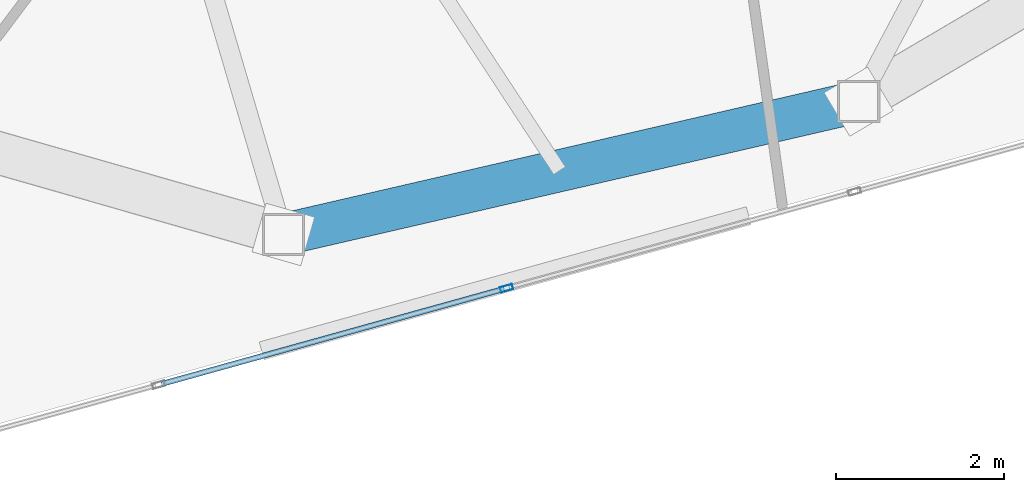
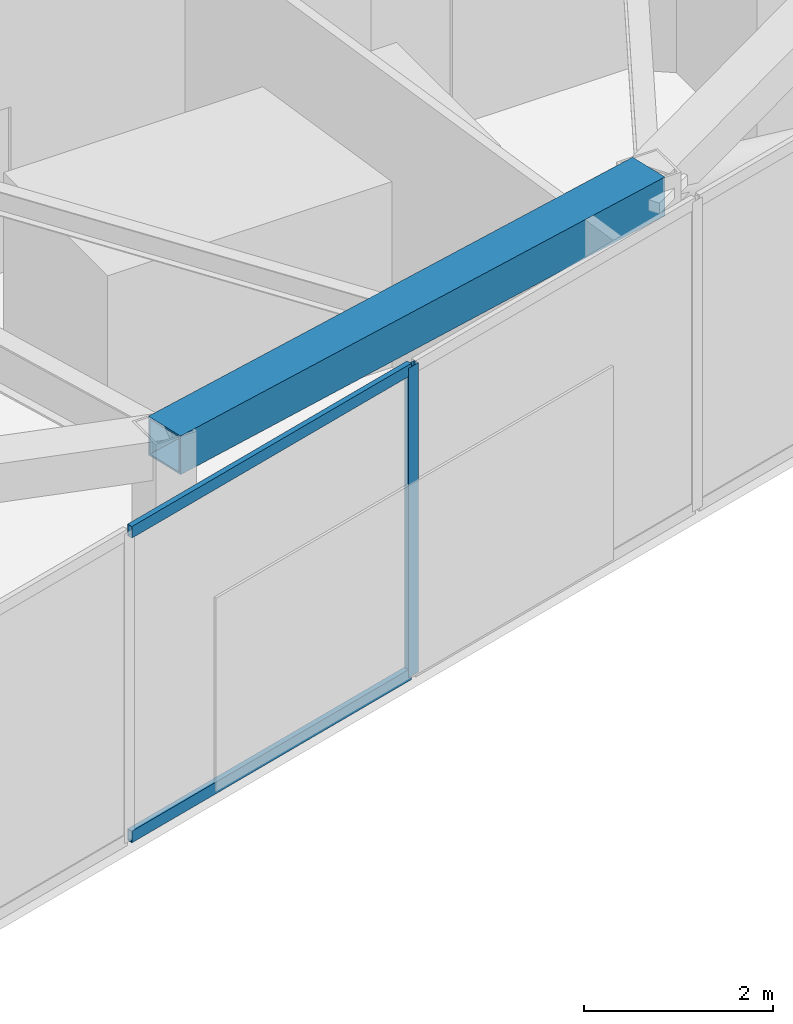
# One storey, part 3 of 19: 3 members, 1 beam, 1 element without a shape of its own.
"""IFC4 building model written with IfcOpenShell, lengths in metres."""

from ifc_helpers import new_model, si_unit, direction, frame, origin, origin_2d, place, context, subcontext, project, spatial, hollow_rectangle, extrude, source, transform, mapped, material, layer, layer_set, material_profile, profile_set, type_object, type_shapes, element, aggregate, save


model = new_model("IFC4")

# Units and contexts
model_context = context("Model", 3, precision=1e-05, world=origin(), true_north=direction((0.0, 1.0)))
body_context = subcontext(model_context, "Body", "Model", "MODEL_VIEW")
ifc_project = project(units=[si_unit("LENGTHUNIT", "METRE"), si_unit("AREAUNIT", "SQUARE_METRE"), si_unit("VOLUMEUNIT", "CUBIC_METRE"), si_unit("PLANEANGLEUNIT", "RADIAN"), si_unit("MASSUNIT", "GRAM", prefix="KILO")], contexts=[model_context])

# Site, building, storey
site_placement = place(None, origin())
site = spatial("IfcSite", under=ifc_project, at=site_placement, CompositionType="ELEMENT")
building_placement = place(site_placement, origin())
building = spatial("IfcBuilding", under=site, at=building_placement, Name="Talar Marvaseh", CompositionType="ELEMENT")
storey_placement = place(building_placement, frame((0.0, 0.0, 296.0)))
storey = spatial("IfcBuildingStorey", under=building, at=storey_placement, Name="L79", CompositionType="ELEMENT", Elevation=296.0)

# Beam
ifc_material_1 = material(Name="Steel S460", Category="steel")
ifc_material_profile_1 = material_profile(ifc_material_1, hollow_rectangle(XDim=0.5, YDim=0.5, WallThickness=0.02490234375, at=origin_2d()), Name="BOX500x500x25")
ifc_profile_set_1 = profile_set([ifc_material_profile_1], Name="Steel S460")
beam_type = type_object("IfcBeamType", Name="Crown Frame Top Ring Beam BOX500x500x25", PredefinedType="BEAM", material=ifc_profile_set_1)
beam_placement = place(storey_placement, frame((28.60498046875, 16.616943359375, 3.489990234375), z_axis=(-0.974361245946, -0.22498924952, 0.0), x_axis=(0.22498924952, -0.974361245946, 0.0)))
element("IfcBeam", 1, at=beam_placement, inside=storey, type_object=beam_type, Name="L79 Crown Frame Top Ring Beam BOX500x500x25", PredefinedType="BEAM", context=body_context, shape_type="SweptSolid", body=[
    extrude(hollow_rectangle(XDim=0.5, YDim=0.5, WallThickness=0.02490234375, at=origin_2d()), origin(), (0.0, 0.0, 1.0), 7.0087890625),
])

# Curtain wall, members
ifc_material_2 = material(Name="Architectural Aluminium", Category="aluminium")
ifc_layer = layer(ifc_material_2, 0.2099609375)
ifc_layer_set = layer_set([ifc_layer], Name="Architectural Aluminium")
curtain_wall_type = type_object("IfcCurtainWallType", Name="Crown Plant Acoustic Spandrel Curtain Wall", PredefinedType="NOTDEFINED", material=ifc_layer_set)
curtain_wall_placement = place(storey_placement, origin())
curtain_wall = element("IfcCurtainWall", 2, at=curtain_wall_placement, inside=storey, type_object=curtain_wall_type, Name="L79 Crown Plant Acoustic Spandrel Curtain Wall", PredefinedType="NOTDEFINED")
ifc_material_profile_2 = material_profile(ifc_material_2, hollow_rectangle(XDim=0.06494140625, YDim=0.14990234375, WallThickness=0.00390625, at=origin_2d()), Name="RHS150x65x4")
ifc_profile_set_2 = profile_set([ifc_material_profile_2], Name="Architectural Aluminium")
member_type_1 = type_object("IfcMemberType", Name="Unitised Curtain Wall Slim Transom RHS150x65x4", PredefinedType="USERDEFINED", material=ifc_profile_set_2)
shared_shape_1 = source(origin(), body_context, "Body", "SweptSolid", [
    extrude(hollow_rectangle(XDim=0.06494140625, YDim=0.14990234375, WallThickness=0.00390625, at=origin_2d()), origin(), (0.0, 0.0, 1.0), 4.22119140625),
])
type_shapes(member_type_1, [shared_shape_1])
member_1_placement = place(storey_placement, frame((24.39404296875, 14.393798828125, 0.032470703125), z_axis=(-0.963574234353, -0.267441011984, 0.0), x_axis=(0.267441011984, -0.963574234353, 0.0)))
member_1 = element("IfcMember", 3, at=member_1_placement, type_object=member_type_1, Name="CW-CRN transom 3.1", ObjectType="TRANSOM", PredefinedType="USERDEFINED", context=body_context, shape_type="MappedRepresentation", body=[
    mapped(shared_shape_1, transform((0.0, 0.0, 0.0), x_axis=(1.0, 0.0, 0.0), y_axis=(0.0, 1.0, 0.0), z_axis=(0.0, 0.0, 1.0), scale=1.0)),
])
member_2_placement = place(storey_placement, frame((24.39404296875, 14.393798828125, 3.967529296875), z_axis=(-0.963574234353, -0.267441011984, 0.0), x_axis=(0.267441011984, -0.963574234353, 0.0)))
member_2 = element("IfcMember", 4, at=member_2_placement, type_object=member_type_1, Name="CW-CRN transom 3.2", ObjectType="TRANSOM", PredefinedType="USERDEFINED", context=body_context, shape_type="MappedRepresentation", body=[
    mapped(shared_shape_1, transform((0.0, 0.0, 0.0), x_axis=(1.0, 0.0, 0.0), y_axis=(0.0, 1.0, 0.0), z_axis=(0.0, 0.0, 1.0), scale=1.0)),
])
ifc_material_profile_3 = material_profile(ifc_material_2, hollow_rectangle(XDim=0.06494140625, YDim=0.14990234375, WallThickness=0.00390625, at=origin_2d()), Name="RHS150x65x4")
ifc_profile_set_3 = profile_set([ifc_material_profile_3], Name="Architectural Aluminium")
member_type_2 = type_object("IfcMemberType", Name="Unitised Curtain Wall Slim Mullion RHS150x65x4", PredefinedType="MULLION", material=ifc_profile_set_3)
shared_shape_2 = source(origin(), body_context, "Body", "SweptSolid", [
    extrude(hollow_rectangle(XDim=0.06494140625, YDim=0.14990234375, WallThickness=0.00390625, at=origin_2d()), origin(), (0.0, 0.0, 1.0), 4.0),
])
type_shapes(member_type_2, [shared_shape_2])
member_3_placement = place(storey_placement, frame((24.425537109375, 14.40234375, 0.0), z_axis=(0.0, 0.0, 1.0), x_axis=(0.267390261237, -0.963588318835, 0.0)))
member_3 = element("IfcMember", 5, at=member_3_placement, type_object=member_type_2, Name="CW-CRN mullion 3", PredefinedType="MULLION", context=body_context, shape_type="MappedRepresentation", body=[
    mapped(shared_shape_2, transform((0.0, 0.0, 0.0), x_axis=(1.0, 0.0, 0.0), y_axis=(0.0, 1.0, 0.0), z_axis=(0.0, 0.0, 1.0), scale=1.0)),
])
aggregate(curtain_wall, [member_3, member_1, member_2])

save(model, "model.ifc")
